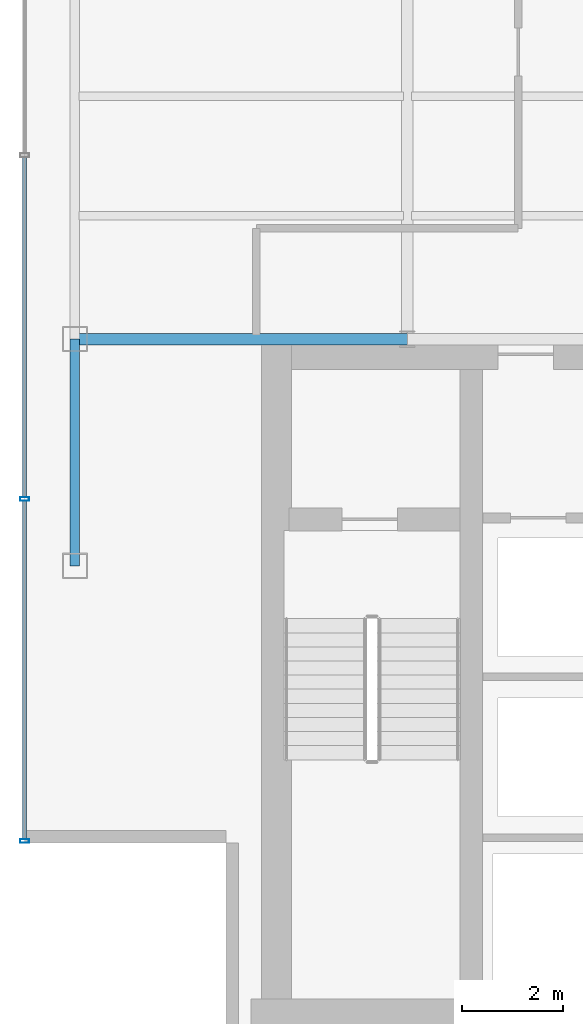
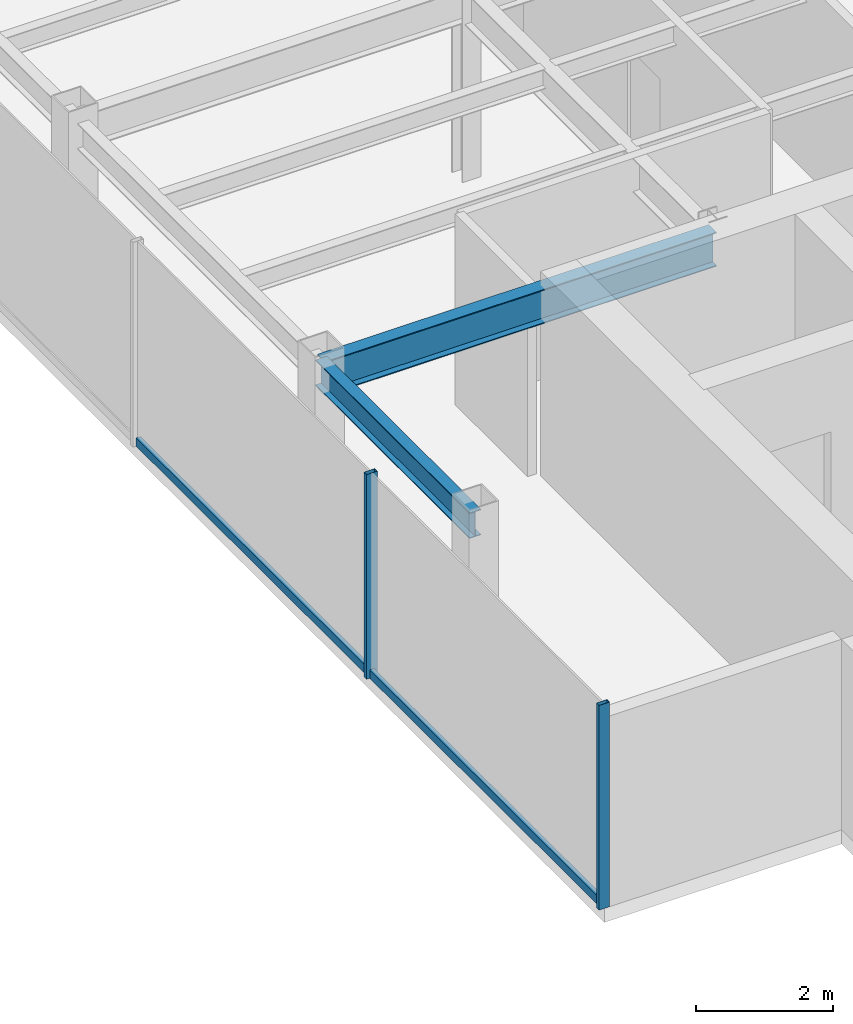
# One storey, part 3 of 22: 4 members, 2 beams, 1 element without a shape of its own.
"""IFC4 building model written with IfcOpenShell, lengths in metres."""

from ifc_helpers import new_model, si_unit, derived_unit, direction, frame, origin, origin_2d, place, context, subcontext, project, spatial, hollow_rectangle, i_section, extrude, source, transform, mapped, material, material_profile, profile_set, type_object, element, aggregate, save


model = new_model("IFC4")

# Units and contexts
model_context = context("Model", 3, precision=1e-05, world=origin(), true_north=direction((0.0, 1.0)))
body_context = subcontext(model_context, "Body", "Model", "MODEL_VIEW")
ifc_project = project(units=[si_unit("LENGTHUNIT", "METRE"), si_unit("AREAUNIT", "SQUARE_METRE"), si_unit("VOLUMEUNIT", "CUBIC_METRE"), si_unit("PLANEANGLEUNIT", "RADIAN"), si_unit("MASSUNIT", "GRAM", prefix="KILO"), derived_unit("THERMALTRANSMITTANCEUNIT", [(si_unit("POWERUNIT", "WATT"), 1), (si_unit("LENGTHUNIT", "METRE"), -2), (si_unit("THERMODYNAMICTEMPERATUREUNIT", "KELVIN"), -1)])], contexts=[model_context])

# Site, building, storey
site_placement = place(None, origin())
site = spatial("IfcSite", under=ifc_project, at=site_placement, CompositionType="ELEMENT")
building_placement = place(site_placement, origin())
building = spatial("IfcBuilding", under=site, at=building_placement, Name="Skarnbrae Concourse Arena and Tower", CompositionType="ELEMENT")
storey_placement = place(building_placement, frame((0.0, 0.0, 210.5)))
storey = spatial("IfcBuildingStorey", under=building, at=storey_placement, Name="L54", CompositionType="ELEMENT", Elevation=210.5)

# Beams
ifc_material_1 = material(Name="Steel CSA G40.21 350W", Category="steel")
ifc_material_profile_1 = material_profile(ifc_material_1, i_section(OverallWidth=0.22802734375, OverallDepth=0.60791015625, WebThickness=0.01123046875, FlangeThickness=0.017333984375, at=origin_2d()), Name="W610X113")
ifc_profile_set_1 = profile_set([ifc_material_profile_1], Name="Steel CSA G40.21 350W")
beam_type_1 = type_object("IfcBeamType", Name="BM-GIRD-W610X113", PredefinedType="BEAM", material=ifc_profile_set_1)
shared_shape_1 = source(origin(), body_context, "Body", "SweptSolid", [
    extrude(i_section(OverallWidth=0.22802734375, OverallDepth=0.60791015625, WebThickness=0.01123046875, FlangeThickness=0.017333984375, at=origin_2d()), origin(), (0.0, 0.0, 1.0), 6.60009765625),
])
beam_1_placement = place(storey_placement, frame((1.0, 14.0, 3.095947265625), z_axis=(1.0, 0.0, 0.0), x_axis=(0.0, 1.0, 0.0)))
element("IfcBeam", 1, at=beam_1_placement, inside=storey, type_object=beam_type_1, Name="L54 Primary E-W girder Y14.0-1", PredefinedType="BEAM", context=body_context, shape_type="MappedRepresentation", body=[
    mapped(shared_shape_1, transform((0.0, 0.0, 0.0))),
])
ifc_material_profile_2 = material_profile(ifc_material_1, i_section(OverallWidth=0.19091796875, OverallDepth=0.4599609375, WebThickness=0.010009765625, FlangeThickness=0.01611328125, at=origin_2d()), Name="W460X82")
ifc_profile_set_2 = profile_set([ifc_material_profile_2], Name="Steel CSA G40.21 350W")
beam_type_2 = type_object("IfcBeamType", Name="BM-SPAN-W460X82", PredefinedType="SPANDREL", material=ifc_profile_set_2)
shared_shape_2 = source(origin(), body_context, "Body", "SweptSolid", [
    extrude(i_section(OverallWidth=0.19091796875, OverallDepth=0.4599609375, WebThickness=0.010009765625, FlangeThickness=0.01611328125, at=origin_2d()), origin(), (0.0, 0.0, 1.0), 4.5),
])
beam_2_placement = place(storey_placement, frame((1.0, 9.5, 3.169921875), z_axis=(0.0, 1.0, 0.0), x_axis=(-1.0, 0.0, 0.0)))
element("IfcBeam", 2, at=beam_2_placement, inside=storey, type_object=beam_type_2, Name="L54 Perimeter spandrel X1.0-1", PredefinedType="SPANDREL", context=body_context, shape_type="MappedRepresentation", body=[
    mapped(shared_shape_2, transform((0.0, 0.0, 0.0))),
])

# Curtain wall, members
ifc_material_2 = material(Name="Bronze anodised aluminium 6063-T6", Category="aluminium")
curtain_wall_type = type_object("IfcCurtainWallType", Name="CW-SYS-05-HIGHZONE", PredefinedType="USERDEFINED", material=ifc_material_2)
curtain_wall_placement = place(storey_placement, origin())
curtain_wall = element("IfcCurtainWall", 3, at=curtain_wall_placement, inside=storey, type_object=curtain_wall_type, Name="L54 Unitised curtain wall CW-L54-E18", ObjectType="UNITISED CURTAIN WALL", PredefinedType="USERDEFINED")
ifc_material_profile_3 = material_profile(ifc_material_2, hollow_rectangle(XDim=0.074951171875, YDim=0.179931640625, WallThickness=0.00390625, at=origin_2d()), Name="ALU-MULL-75X180")
ifc_profile_set_3 = profile_set([ifc_material_profile_3], Name="Bronze anodised aluminium 6063-T6")
member_type_1 = type_object("IfcMemberType", Name="CWM-CW-05", PredefinedType="MULLION", material=ifc_profile_set_3)
shared_shape_3 = source(origin(), body_context, "Body", "SweptSolid", [
    extrude(hollow_rectangle(XDim=0.074951171875, YDim=0.179931640625, WallThickness=0.00390625, at=origin_2d()), origin(), (0.0, 0.0, 1.0), 3.64990234375),
])
member_1_placement = place(storey_placement, frame((0.0, 10.824951171875, 0.0), z_axis=(0.0, 0.0, 1.0), x_axis=(0.0, -1.0, 0.0)))
member_1 = element("IfcMember", 4, at=member_1_placement, type_object=member_type_1, Name="CW-L54-E18 Mullion 4", PredefinedType="MULLION", context=body_context, shape_type="MappedRepresentation", body=[
    mapped(shared_shape_3, transform((0.0, 0.0, 0.0))),
])
member_2_placement = place(storey_placement, frame((0.0, 4.03759765625, 0.0), z_axis=(0.0, 0.0, 1.0), x_axis=(0.0, -1.0, 0.0)))
member_2 = element("IfcMember", 5, at=member_2_placement, type_object=member_type_1, Name="CW-L54-E18 Mullion 5", PredefinedType="MULLION", context=body_context, shape_type="MappedRepresentation", body=[
    mapped(shared_shape_3, transform((0.0, 0.0, 0.0))),
])
ifc_material_profile_4 = material_profile(ifc_material_2, hollow_rectangle(XDim=0.074951171875, YDim=0.14990234375, WallThickness=0.00390625, at=origin_2d()), Name="ALU-TRAN-75X150")
ifc_profile_set_4 = profile_set([ifc_material_profile_4], Name="Bronze anodised aluminium 6063-T6")
member_type_2 = type_object("IfcMemberType", Name="CWT-CW-05", PredefinedType="USERDEFINED", material=ifc_profile_set_4)
shared_shape_4 = source(origin(), body_context, "Body", "SweptSolid", [
    extrude(hollow_rectangle(XDim=0.074951171875, YDim=0.14990234375, WallThickness=0.00390625, at=origin_2d()), origin(), (0.0, 0.0, 1.0), 6.712646484375),
])
member_3_placement = place(storey_placement, frame((0.0, 10.78759765625, 0.074951171875), z_axis=(0.0, -1.0, 0.0), x_axis=(1.0, 0.0, 0.0)))
member_3 = element("IfcMember", 6, at=member_3_placement, type_object=member_type_2, Name="CW-L54-E18 Transom 4", ObjectType="TRANSOM", PredefinedType="USERDEFINED", context=body_context, shape_type="MappedRepresentation", body=[
    mapped(shared_shape_4, transform((0.0, 0.0, 0.0))),
])
shared_shape_5 = source(origin(), body_context, "Body", "SweptSolid", [
    extrude(hollow_rectangle(XDim=0.074951171875, YDim=0.14990234375, WallThickness=0.00390625, at=origin_2d()), origin(), (0.0, 0.0, 1.0), 6.75),
])
member_4_placement = place(storey_placement, frame((0.0, 17.612548828125, 0.074951171875), z_axis=(0.0, -1.0, 0.0), x_axis=(1.0, 0.0, 0.0)))
member_4 = element("IfcMember", 7, at=member_4_placement, type_object=member_type_2, Name="CW-L54-E18 Transom 3", ObjectType="TRANSOM", PredefinedType="USERDEFINED", context=body_context, shape_type="MappedRepresentation", body=[
    mapped(shared_shape_5, transform((0.0, 0.0, 0.0))),
])
aggregate(curtain_wall, [member_1, member_2, member_4, member_3])

save(model, "model.ifc")
